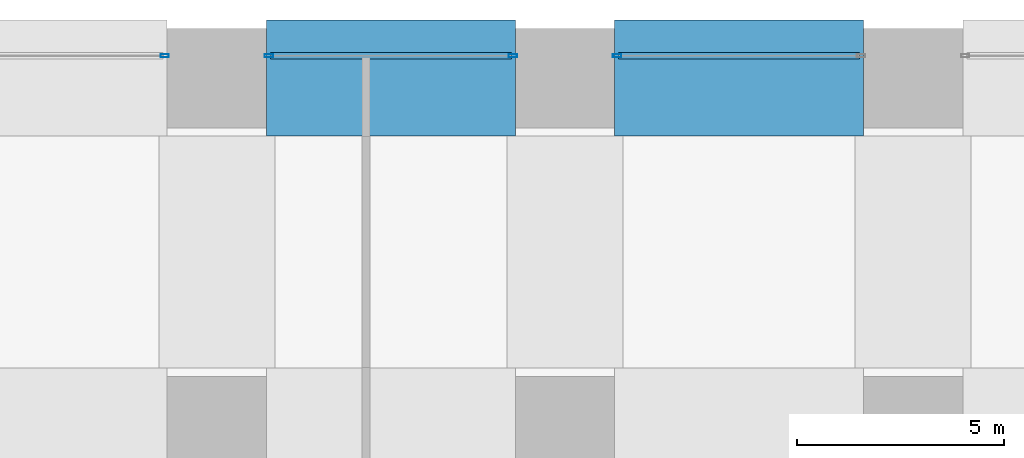
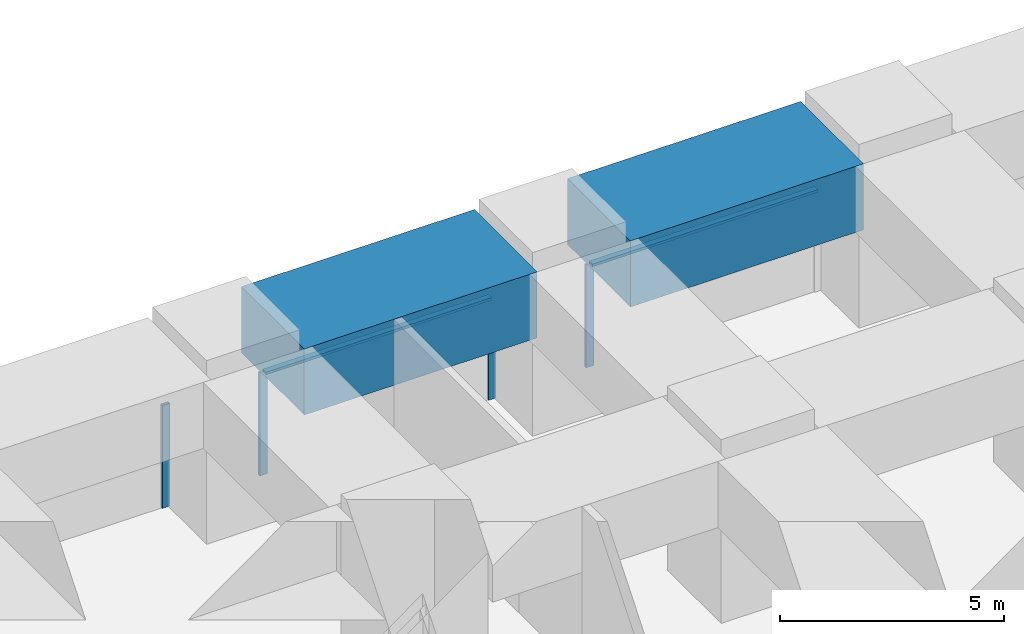
# One storey, part 29 of 52: 6 members, 2 beams, 3 elements without a shape of their own.
"""IFC4 building model written with IfcOpenShell, lengths in metres."""

from ifc_helpers import new_model, si_unit, direction, frame, origin, origin_2d, place, context, subcontext, project, spatial, rectangle, hollow_rectangle, extrude, material, material_profile, profile_set, type_object, element, aggregate, save


model = new_model("IFC4")

# Units and contexts
model_context = context("Model", 3, precision=1e-05, world=origin(), true_north=direction((0.0, 1.0)))
body_context = subcontext(model_context, "Body", "Model", "MODEL_VIEW")
ifc_project = project(units=[si_unit("LENGTHUNIT", "METRE"), si_unit("AREAUNIT", "SQUARE_METRE"), si_unit("VOLUMEUNIT", "CUBIC_METRE"), si_unit("PLANEANGLEUNIT", "RADIAN"), si_unit("MASSUNIT", "GRAM", prefix="KILO")], contexts=[model_context])

# Site, building, storey
site_placement = place(None, origin())
site = spatial("IfcSite", under=ifc_project, at=site_placement, CompositionType="ELEMENT")
building_placement = place(site_placement, origin())
building = spatial("IfcBuilding", under=site, at=building_placement, Name="Rekha Terrace Tower", CompositionType="ELEMENT")
storey_placement = place(building_placement, frame((0.0, 0.0, 20.39990234375)))
storey = spatial("IfcBuildingStorey", under=building, at=storey_placement, Name="L04", CompositionType="ELEMENT", Elevation=20.39990234375)

# Curtain wall, member
ifc_material_1 = material(Name="Aluminium framing", Category="aluminium")
curtain_wall_type = type_object("IfcCurtainWallType", Name="CW4 podium shopfront glazing", PredefinedType="USERDEFINED", material=ifc_material_1)
curtain_wall_1_placement = place(storey_placement, origin())
curtain_wall_1 = element("IfcCurtainWall", 1, at=curtain_wall_1_placement, inside=storey, type_object=curtain_wall_type, Name="CW4 shopfront curtain wall", ObjectType="SHOPFRONT CURTAIN WALL", PredefinedType="USERDEFINED")
ifc_material_2 = material(Name="Aluminium mullion section", Category="aluminium")
ifc_material_profile_1 = material_profile(ifc_material_2, hollow_rectangle(XDim=0.074951171875, YDim=0.199951171875, WallThickness=0.00390625, at=origin_2d()), Name="AL RHS 75x200")
ifc_profile_set_1 = profile_set([ifc_material_profile_1], Name="Aluminium mullion section")
member_type_1 = type_object("IfcMemberType", Name="CW4 mullion RHS 75 x 200", PredefinedType="MULLION", material=ifc_profile_set_1)
member_1_placement = place(storey_placement, frame((60.0576171875, 59.340087890625, 0.0), z_axis=(0.0, 0.0, 1.0), x_axis=(0.0, -1.0, 0.0)))
member_1 = element("IfcMember", 2, at=member_1_placement, type_object=member_type_1, Name="CW4 mullion 2", PredefinedType="MULLION", context=body_context, shape_type="SweptSolid", body=[
    extrude(hollow_rectangle(XDim=0.074951171875, YDim=0.199951171875, WallThickness=0.00390625, at=origin_2d()), origin(), (0.0, 0.0, 1.0), 2.800048828125),
])

# Curtain wall, members
curtain_wall_2_placement = place(storey_placement, origin())
curtain_wall_2 = element("IfcCurtainWall", 3, at=curtain_wall_2_placement, inside=storey, type_object=curtain_wall_type, Name="CW4 shopfront curtain wall", ObjectType="SHOPFRONT CURTAIN WALL", PredefinedType="USERDEFINED")
member_2_placement = place(storey_placement, frame((57.54248046875, 59.340087890625, 0.0), z_axis=(0.0, 0.0, 1.0), x_axis=(0.0, -1.0, 0.0)))
member_2 = element("IfcMember", 4, at=member_2_placement, type_object=member_type_1, Name="CW4 mullion 1", PredefinedType="MULLION", context=body_context, shape_type="SweptSolid", body=[
    extrude(hollow_rectangle(XDim=0.074951171875, YDim=0.199951171875, WallThickness=0.00390625, at=origin_2d()), origin(), (0.0, 0.0, 1.0), 2.800048828125),
])
member_3_placement = place(storey_placement, frame((51.657470703125, 59.340087890625, 0.0), z_axis=(0.0, 0.0, 1.0), x_axis=(0.0, -1.0, 0.0)))
member_3 = element("IfcMember", 5, at=member_3_placement, type_object=member_type_1, Name="CW4 mullion 2", PredefinedType="MULLION", context=body_context, shape_type="SweptSolid", body=[
    extrude(hollow_rectangle(XDim=0.074951171875, YDim=0.199951171875, WallThickness=0.00390625, at=origin_2d()), origin(), (0.0, 0.0, 1.0), 2.800048828125),
])

# Curtain wall, member
curtain_wall_3_placement = place(storey_placement, origin())
curtain_wall_3 = element("IfcCurtainWall", 6, at=curtain_wall_3_placement, inside=storey, type_object=curtain_wall_type, Name="CW4 shopfront curtain wall", ObjectType="SHOPFRONT CURTAIN WALL", PredefinedType="USERDEFINED")
member_4_placement = place(storey_placement, frame((49.142578125, 59.340087890625, 0.0), z_axis=(0.0, 0.0, 1.0), x_axis=(0.0, -1.0, 0.0)))
member_4 = element("IfcMember", 7, at=member_4_placement, type_object=member_type_1, Name="CW4 mullion 1", PredefinedType="MULLION", context=body_context, shape_type="SweptSolid", body=[
    extrude(hollow_rectangle(XDim=0.074951171875, YDim=0.199951171875, WallThickness=0.00390625, at=origin_2d()), origin(), (0.0, 0.0, 1.0), 2.800048828125),
])
aggregate(curtain_wall_3, [member_4])

# Member
ifc_material_3 = material(Name="Aluminium transom section", Category="aluminium")
ifc_material_profile_2 = material_profile(ifc_material_3, hollow_rectangle(XDim=0.14990234375, YDim=0.074951171875, WallThickness=0.0029296875, at=origin_2d()), Name="AL RHS 150x75")
ifc_profile_set_2 = profile_set([ifc_material_profile_2], Name="Aluminium transom section")
member_type_2 = type_object("IfcMemberType", Name="CW4 transom RHS 75 x 150", PredefinedType="USERDEFINED", material=ifc_profile_set_2)
member_5_placement = place(storey_placement, frame((65.905029296875, 59.340087890625, 2.7626953125), z_axis=(-1.0, 0.0, 0.0), x_axis=(0.0, -1.0, 0.0)))
member_5 = element("IfcMember", 8, at=member_5_placement, type_object=member_type_2, Name="CW4 transom 1.2", ObjectType="TRANSOM", PredefinedType="USERDEFINED", context=body_context, shape_type="SweptSolid", body=[
    extrude(hollow_rectangle(XDim=0.14990234375, YDim=0.074951171875, WallThickness=0.0029296875, at=origin_2d()), origin(), (0.0, 0.0, 1.0), 5.81005859375),
])

aggregate(curtain_wall_1, [member_1, member_5])

member_6_placement = place(storey_placement, frame((57.5048828125, 59.340087890625, 2.7626953125), z_axis=(-1.0, 0.0, 0.0), x_axis=(0.0, -1.0, 0.0)))
member_6 = element("IfcMember", 9, at=member_6_placement, type_object=member_type_2, Name="CW4 transom 1.2", ObjectType="TRANSOM", PredefinedType="USERDEFINED", context=body_context, shape_type="SweptSolid", body=[
    extrude(hollow_rectangle(XDim=0.14990234375, YDim=0.074951171875, WallThickness=0.0029296875, at=origin_2d()), origin(), (0.0, 0.0, 1.0), 5.809814453125),
])

aggregate(curtain_wall_2, [member_2, member_3, member_6])

# Beams
ifc_material_4 = material(Name="Concrete M70", Category="concrete")
ifc_material_profile_3 = material_profile(ifc_material_4, rectangle(XDim=2.800048828125, YDim=1.800048828125, at=origin_2d()), Name="RC 2800x1800")
ifc_profile_set_3 = profile_set([ifc_material_profile_3], Name="Concrete M70")
beam_type = type_object("IfcBeamType", Name="G2 2800x1800 podium roof band beam", PredefinedType="BEAM", material=ifc_profile_set_3)
for number, where, z_axis, x_axis, name in (
    (10, (51.60009765625, 58.800048828125, 3.7001953125), (1.0, 0.0, 0.0), (0.0, 1.0, 0.0), "Beam G2 7H-8H under L05"),
    (11, (60.0, 58.800048828125, 3.7001953125), (1.0, 0.0, 0.0), (0.0, 1.0, 0.0), "Beam G2 8H-9H under L05"),
):
    element("IfcBeam", number, at=place(storey_placement, frame(where, z_axis=z_axis, x_axis=x_axis)), inside=storey, type_object=beam_type, Name=name, PredefinedType="BEAM", context=body_context, shape_type="SweptSolid", body=[
        extrude(rectangle(XDim=2.800048828125, YDim=1.800048828125, at=origin_2d()), origin(), (0.0, 0.0, 1.0), 6.0),
    ])

save(model, "model.ifc")
